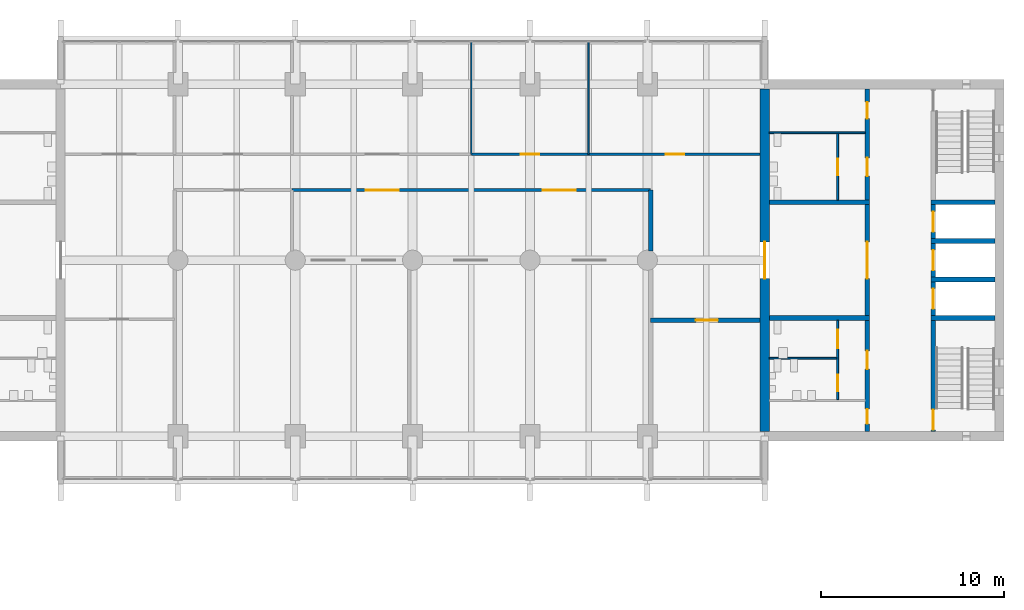
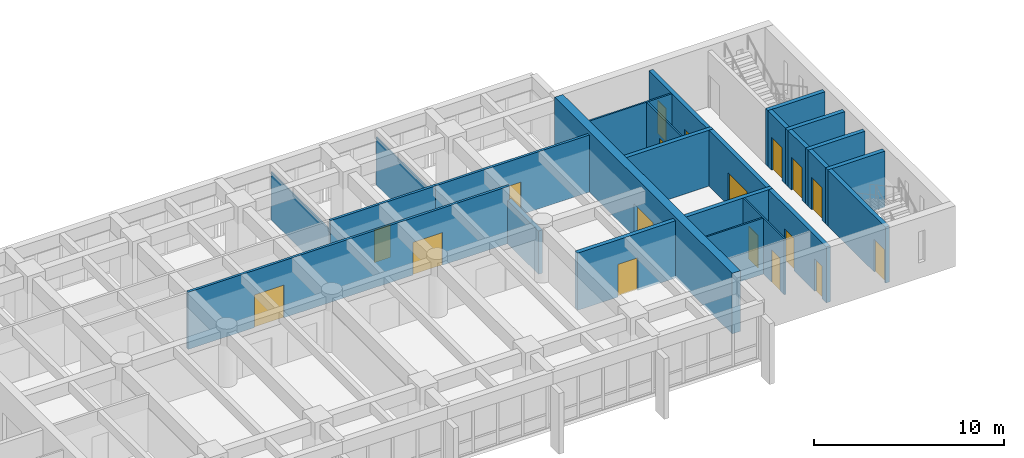
# One storey, part 13 of 19: 25 walls, 18 doors, 18 openings.
"""IFC4 building model written with IfcOpenShell, lengths in metres."""

from ifc_helpers import new_model, si_unit, direction, frame, frame_2d, origin, place, context, subcontext, project, spatial, rectangle, extrude, material, layer, layer_set, type_object, element, fill, save


model = new_model("IFC4")

# Units and contexts
model_context = context("Model", 3, precision=1e-05, world=origin(), true_north=direction((0.0, 1.0)))
body_context = subcontext(model_context, "Body", "Model", "MODEL_VIEW")
ifc_project = project(units=[si_unit("LENGTHUNIT", "METRE"), si_unit("AREAUNIT", "SQUARE_METRE"), si_unit("VOLUMEUNIT", "CUBIC_METRE"), si_unit("PLANEANGLEUNIT", "RADIAN"), si_unit("MASSUNIT", "GRAM", prefix="KILO")], contexts=[model_context])

# Site, building, storey
site_placement = place(None, origin())
site = spatial("IfcSite", under=ifc_project, at=site_placement, CompositionType="ELEMENT")
building_placement = place(site_placement, origin())
building = spatial("IfcBuilding", under=site, at=building_placement, Name="Fogon Plaza Fire Station and Headquarters Tower", CompositionType="ELEMENT")
storey_placement = place(building_placement, frame((0.0, 0.0, 17.10009765625)))
storey = spatial("IfcBuildingStorey", under=building, at=storey_placement, Name="L04", CompositionType="ELEMENT", Elevation=17.10009765625)

# Walls
ifc_material_1 = material(Name="Concrete C40", Category="concrete")
ifc_layer_1 = layer(ifc_material_1, 0.25)
ifc_layer_set_1 = layer_set([ifc_layer_1], Name="Concrete C40")
wall_type_1 = type_object("IfcWallType", Name="Core Wall RC 250", PredefinedType="SOLIDWALL", material=ifc_layer_set_1)
for number, where, z_axis, x_axis, name in (
    (1, (76.550048828125, 40.050048828125, 0.0), (0.0, 0.0, 1.0), (-1.0, 0.0, 0.0), "Core B shaft wall"),
    (2, (76.550048828125, 42.14990234375, 0.0), (0.0, 0.0, 1.0), (-1.0, 0.0, 0.0), "Core B shaft wall"),
    (3, (76.550048828125, 44.25, 0.0), (0.0, 0.0, 1.0), (-1.0, 0.0, 0.0), "Core B shaft wall"),
    (4, (76.550048828125, 46.35009765625, 0.0), (0.0, 0.0, 1.0), (-1.0, 0.0, 0.0), "Core B shaft wall"),
):
    element("IfcWall", number, at=place(storey_placement, frame(where, z_axis=z_axis, x_axis=x_axis)), inside=storey, type_object=wall_type_1, Name=name, PredefinedType="SOLIDWALL", context=body_context, shape_type="SweptSolid", body=[
        extrude(rectangle(XDim=3.47509765625, YDim=0.25, at=frame_2d((1.737548828125, 0.0))), origin(), (0.0, 0.0, 1.0), 3.599853515625),
    ])

# Wall, opening, door
wall_1_placement = place(storey_placement, frame((73.199951171875, 33.85009765625, 0.0), z_axis=(0.0, 0.0, 1.0), x_axis=(0.0, 1.0, 0.0)))
wall_1 = element("IfcWall", 5, at=wall_1_placement, inside=storey, type_object=wall_type_1, Name="Core B shaft wall", PredefinedType="SOLIDWALL", context=body_context, shape_type="SweptSolid", body=[
    extrude(rectangle(XDim=6.074951171875, YDim=0.25, at=frame_2d((3.03759765625, 0.0))), origin(), (0.0, 0.0, 1.0), 3.599853515625),
])
opening_1_placement = place(wall_1_placement, frame((0.10009765625, 0.0, 0.0)))
opening_1 = element("IfcOpeningElement", 6, at=opening_1_placement, cuts=wall_1, Name="Opening L04-D15", PredefinedType="OPENING", context=body_context, shape_type="SweptSolid", body=[
    extrude(rectangle(XDim=1.10009765625, YDim=2.10009765625, at=frame_2d((0.550048828125, 1.050048828125))), frame((0.0, 0.135009765625, 0.0), z_axis=(0.0, -1.0, 0.0), x_axis=(1.0, 0.0, 0.0)), (0.0, 0.0, 1.0), 0.27001953125),
])
ifc_material_2 = material(Name="Steel Fire Door Leaf", Category="steel")
door_type_1 = type_object("IfcDoorType", Name="Stair Door Single 1100x2100", OperationType="SINGLE_SWING_LEFT", PredefinedType="DOOR", material=ifc_material_2)
door_1_placement = place(opening_1_placement, frame((1.10009765625, 0.0, 0.0), z_axis=(0.0, 0.0, 1.0), x_axis=(-1.0, 0.0, 0.0)))
door_1 = element("IfcDoor", 7, at=door_1_placement, inside=storey, type_object=door_type_1, Name="Stair door ST3", OperationType="SINGLE_SWING_RIGHT", OverallHeight=2.10009765625, OverallWidth=1.10009765625, PredefinedType="DOOR", context=body_context, shape_type="SweptSolid", body=[
    extrude(rectangle(XDim=1.10009765625, YDim=2.10009765625, at=frame_2d((0.550048828125, 1.050048828125))), frame((0.0, 0.02490234375, 0.0), z_axis=(0.0, -1.0, 0.0), x_axis=(1.0, 0.0, 0.0)), (0.0, 0.0, 1.0), 0.050048828125),
])
fill(opening_1, door_1)

wall_2_placement = place(storey_placement, frame((73.199951171875, 40.175048828125, 0.0), z_axis=(0.0, 0.0, 1.0), x_axis=(0.0, 1.0, 0.0)))
wall_2 = element("IfcWall", 8, at=wall_2_placement, inside=storey, type_object=wall_type_1, Name="Core B shaft wall", PredefinedType="SOLIDWALL", context=body_context, shape_type="SweptSolid", body=[
    extrude(rectangle(XDim=1.849853515625, YDim=0.25, at=frame_2d((0.9248046875, 0.0))), origin(), (0.0, 0.0, 1.0), 3.599853515625),
])
opening_2_placement = place(wall_2_placement, frame((0.375, 0.0, 0.0)))
opening_2 = element("IfcOpeningElement", 9, at=opening_2_placement, cuts=wall_2, Name="Opening L04-D17", PredefinedType="OPENING", context=body_context, shape_type="SweptSolid", body=[
    extrude(rectangle(XDim=1.10009765625, YDim=2.10009765625, at=frame_2d((0.550048828125, 1.050048828125))), frame((0.0, 0.135009765625, 0.0), z_axis=(0.0, -1.0, 0.0), x_axis=(1.0, 0.0, 0.0)), (0.0, 0.0, 1.0), 0.27001953125),
])
ifc_material_3 = material(Name="Stainless Steel", Category="steel")
door_type_2 = type_object("IfcDoorType", Name="Lift Landing Door 1100x2100", OperationType="SLIDING_TO_LEFT", PredefinedType="DOOR", material=ifc_material_3)
door_2_placement = place(opening_2_placement, origin())
door_2 = element("IfcDoor", 10, at=door_2_placement, inside=storey, type_object=door_type_2, Name="Lift LP3 landing door", OperationType="SLIDING_TO_LEFT", OverallHeight=2.10009765625, OverallWidth=1.10009765625, PredefinedType="DOOR", context=body_context, shape_type="SweptSolid", body=[
    extrude(rectangle(XDim=1.10009765625, YDim=2.10009765625, at=frame_2d((0.550048828125, 1.050048828125))), frame((0.0, 0.02490234375, 0.0), z_axis=(0.0, -1.0, 0.0), x_axis=(1.0, 0.0, 0.0)), (0.0, 0.0, 1.0), 0.050048828125),
])
fill(opening_2, door_2)

wall_3_placement = place(storey_placement, frame((73.199951171875, 42.27490234375, 0.0), z_axis=(0.0, 0.0, 1.0), x_axis=(0.0, 1.0, 0.0)))
wall_3 = element("IfcWall", 11, at=wall_3_placement, inside=storey, type_object=wall_type_1, Name="Core B shaft wall", PredefinedType="SOLIDWALL", context=body_context, shape_type="SweptSolid", body=[
    extrude(rectangle(XDim=1.85009765625, YDim=0.25, at=frame_2d((0.925048828125, 0.0))), origin(), (0.0, 0.0, 1.0), 3.599853515625),
])
opening_3_placement = place(wall_3_placement, frame((0.375, 0.0, 0.0)))
opening_3 = element("IfcOpeningElement", 12, at=opening_3_placement, cuts=wall_3, Name="Opening L04-D18", PredefinedType="OPENING", context=body_context, shape_type="SweptSolid", body=[
    extrude(rectangle(XDim=1.10009765625, YDim=2.10009765625, at=frame_2d((0.550048828125, 1.050048828125))), frame((0.0, 0.135009765625, 0.0), z_axis=(0.0, -1.0, 0.0), x_axis=(1.0, 0.0, 0.0)), (0.0, 0.0, 1.0), 0.27001953125),
])
door_3_placement = place(opening_3_placement, origin())
door_3 = element("IfcDoor", 13, at=door_3_placement, inside=storey, type_object=door_type_2, Name="Lift LP4 landing door", OperationType="SLIDING_TO_LEFT", OverallHeight=2.10009765625, OverallWidth=1.10009765625, PredefinedType="DOOR", context=body_context, shape_type="SweptSolid", body=[
    extrude(rectangle(XDim=1.10009765625, YDim=2.10009765625, at=frame_2d((0.550048828125, 1.050048828125))), frame((0.0, 0.02490234375, 0.0), z_axis=(0.0, -1.0, 0.0), x_axis=(1.0, 0.0, 0.0)), (0.0, 0.0, 1.0), 0.050048828125),
])
fill(opening_3, door_3)

wall_4_placement = place(storey_placement, frame((73.199951171875, 44.375, 0.0), z_axis=(0.0, 0.0, 1.0), x_axis=(0.0, 1.0, 0.0)))
wall_4 = element("IfcWall", 14, at=wall_4_placement, inside=storey, type_object=wall_type_1, Name="Core B shaft wall", PredefinedType="SOLIDWALL", context=body_context, shape_type="SweptSolid", body=[
    extrude(rectangle(XDim=1.85009765625, YDim=0.25, at=frame_2d((0.925048828125, 0.0))), origin(), (0.0, 0.0, 1.0), 3.599853515625),
])
opening_4_placement = place(wall_4_placement, frame((0.375, 0.0, 0.0)))
opening_4 = element("IfcOpeningElement", 15, at=opening_4_placement, cuts=wall_4, Name="Opening L04-D19", PredefinedType="OPENING", context=body_context, shape_type="SweptSolid", body=[
    extrude(rectangle(XDim=1.10009765625, YDim=2.10009765625, at=frame_2d((0.550048828125, 1.050048828125))), frame((0.0, 0.135009765625, 0.0), z_axis=(0.0, -1.0, 0.0), x_axis=(1.0, 0.0, 0.0)), (0.0, 0.0, 1.0), 0.27001953125),
])
door_4_placement = place(opening_4_placement, origin())
door_4 = element("IfcDoor", 16, at=door_4_placement, inside=storey, type_object=door_type_2, Name="Lift FL2 landing door", OperationType="SLIDING_TO_LEFT", OverallHeight=2.10009765625, OverallWidth=1.10009765625, PredefinedType="DOOR", context=body_context, shape_type="SweptSolid", body=[
    extrude(rectangle(XDim=1.10009765625, YDim=2.10009765625, at=frame_2d((0.550048828125, 1.050048828125))), frame((0.0, 0.02490234375, 0.0), z_axis=(0.0, -1.0, 0.0), x_axis=(1.0, 0.0, 0.0)), (0.0, 0.0, 1.0), 0.050048828125),
])
fill(opening_4, door_4)

# Wall, openings, doors
wall_5_placement = place(storey_placement, frame((69.60009765625, 33.85009765625, 0.0), z_axis=(0.0, 0.0, 1.0), x_axis=(0.0, 1.0, 0.0)))
wall_5 = element("IfcWall", 17, at=wall_5_placement, inside=storey, type_object=wall_type_1, Name="Core B shaft wall", PredefinedType="SOLIDWALL", context=body_context, shape_type="SweptSolid", body=[
    extrude(rectangle(XDim=6.074951171875, YDim=0.25, at=frame_2d((3.03759765625, 0.0))), origin(), (0.0, 0.0, 1.0), 3.599853515625),
])
opening_5_placement = place(wall_5_placement, frame((0.425048828125, 0.0, 0.0)))
opening_5 = element("IfcOpeningElement", 18, at=opening_5_placement, cuts=wall_5, Name="Opening L04-D22", PredefinedType="OPENING", context=body_context, shape_type="SweptSolid", body=[
    extrude(rectangle(XDim=0.800048828125, YDim=2.10009765625, at=frame_2d((0.39990234375, 1.050048828125))), frame((0.0, 0.135009765625, 0.0), z_axis=(0.0, -1.0, 0.0), x_axis=(1.0, 0.0, 0.0)), (0.0, 0.0, 1.0), 0.27001953125),
])
opening_6_placement = place(wall_5_placement, frame((3.41259765625, 0.0, 0.0)))
opening_6 = element("IfcOpeningElement", 19, at=opening_6_placement, cuts=wall_5, Name="Opening L04-D23", PredefinedType="OPENING", context=body_context, shape_type="SweptSolid", body=[
    extrude(rectangle(XDim=1.0, YDim=2.10009765625, at=frame_2d((0.5, 1.050048828125))), frame((0.0, 0.135009765625, 0.0), z_axis=(0.0, -1.0, 0.0), x_axis=(1.0, 0.0, 0.0)), (0.0, 0.0, 1.0), 0.27001953125),
])
ifc_material_4 = material(Name="Timber Door Leaf", Category="wood")
door_type_3 = type_object("IfcDoorType", Name="Cleaner Store Single 800x2100", OperationType="SINGLE_SWING_LEFT", PredefinedType="DOOR", material=ifc_material_4)
door_5_placement = place(opening_5_placement, origin())
door_5 = element("IfcDoor", 20, at=door_5_placement, inside=storey, type_object=door_type_3, Name="Cleaner's store B door", OperationType="SINGLE_SWING_LEFT", OverallHeight=2.10009765625, OverallWidth=0.800048828125, PredefinedType="DOOR", context=body_context, shape_type="SweptSolid", body=[
    extrude(rectangle(XDim=0.800048828125, YDim=2.10009765625, at=frame_2d((0.39990234375, 1.050048828125))), frame((0.0, 0.02490234375, 0.0), z_axis=(0.0, -1.0, 0.0), x_axis=(1.0, 0.0, 0.0)), (0.0, 0.0, 1.0), 0.050048828125),
])
fill(opening_5, door_5)
ifc_material_5 = material(Name="Timber fire door", Category="wood")
door_type_4 = type_object("IfcDoorType", Name="WC Lobby Single 1000x2100", OperationType="SINGLE_SWING_LEFT", PredefinedType="DOOR", material=ifc_material_5)
door_6_placement = place(opening_6_placement, origin())
door_6 = element("IfcDoor", 21, at=door_6_placement, inside=storey, type_object=door_type_4, Name="Men's WC lobby B door", OperationType="SINGLE_SWING_RIGHT", OverallHeight=2.10009765625, OverallWidth=1.0, PredefinedType="DOOR", context=body_context, shape_type="SweptSolid", body=[
    extrude(rectangle(XDim=1.0, YDim=2.10009765625, at=frame_2d((0.5, 1.050048828125))), frame((0.0, 0.02490234375, 0.0), z_axis=(0.0, -1.0, 0.0), x_axis=(1.0, 0.0, 0.0)), (0.0, 0.0, 1.0), 0.050048828125),
])
fill(opening_6, door_6)

# Wall, opening, door
wall_6_placement = place(storey_placement, frame((69.60009765625, 40.175048828125, 0.0), z_axis=(0.0, 0.0, 1.0), x_axis=(0.0, 1.0, 0.0)))
wall_6 = element("IfcWall", 22, at=wall_6_placement, inside=storey, type_object=wall_type_1, Name="Core B shaft wall", PredefinedType="SOLIDWALL", context=body_context, shape_type="SweptSolid", body=[
    extrude(rectangle(XDim=6.050048828125, YDim=0.25, at=frame_2d((3.02490234375, 0.0))), origin(), (0.0, 0.0, 1.0), 3.599853515625),
])
opening_7_placement = place(wall_6_placement, frame((2.02490234375, 0.0, 0.0)))
opening_7 = element("IfcOpeningElement", 23, at=opening_7_placement, cuts=wall_6, Name="Opening L04-D20", PredefinedType="OPENING", context=body_context, shape_type="SweptSolid", body=[
    extrude(rectangle(XDim=2.0, YDim=2.10009765625, at=frame_2d((1.0, 1.050048828125))), frame((0.0, 0.135009765625, 0.0), z_axis=(0.0, -1.0, 0.0), x_axis=(1.0, 0.0, 0.0)), (0.0, 0.0, 1.0), 0.27001953125),
])
ifc_material_6 = material(Name="Steel Fire Door Leaf", Category="steel")
door_type_5 = type_object("IfcDoorType", Name="Vestibule Double 2000x2100", OperationType="DOUBLE_DOOR_SINGLE_SWING", PredefinedType="DOOR", material=ifc_material_6)
door_7_placement = place(opening_7_placement, origin())
door_7 = element("IfcDoor", 24, at=door_7_placement, inside=storey, type_object=door_type_5, Name="Vestibule B door", OperationType="DOUBLE_DOOR_SINGLE_SWING", OverallHeight=2.10009765625, OverallWidth=2.0, PredefinedType="DOOR", context=body_context, shape_type="SweptSolid", body=[
    extrude(rectangle(XDim=2.0, YDim=2.10009765625, at=frame_2d((1.0, 1.050048828125))), frame((0.0, 0.02490234375, 0.0), z_axis=(0.0, -1.0, 0.0), x_axis=(1.0, 0.0, 0.0)), (0.0, 0.0, 1.0), 0.050048828125),
])
fill(opening_7, door_7)

# Wall, openings, doors
wall_7_placement = place(storey_placement, frame((69.60009765625, 46.47509765625, 0.0), z_axis=(0.0, 0.0, 1.0), x_axis=(0.0, 1.0, 0.0)))
wall_7 = element("IfcWall", 25, at=wall_7_placement, inside=storey, type_object=wall_type_1, Name="Core B shaft wall", PredefinedType="SOLIDWALL", context=body_context, shape_type="SweptSolid", body=[
    extrude(rectangle(XDim=6.074951171875, YDim=0.25, at=frame_2d((3.03759765625, 0.0))), origin(), (0.0, 0.0, 1.0), 3.599853515625),
])
opening_8_placement = place(wall_7_placement, frame((1.3125, 0.0, 0.0)))
opening_8 = element("IfcOpeningElement", 26, at=opening_8_placement, cuts=wall_7, Name="Opening L04-D26", PredefinedType="OPENING", context=body_context, shape_type="SweptSolid", body=[
    extrude(rectangle(XDim=1.0, YDim=2.10009765625, at=frame_2d((0.5, 1.050048828125))), frame((0.0, 0.135009765625, 0.0), z_axis=(0.0, -1.0, 0.0), x_axis=(1.0, 0.0, 0.0)), (0.0, 0.0, 1.0), 0.27001953125),
])
opening_9_placement = place(wall_7_placement, frame((4.449951171875, 0.0, 0.0)))
opening_9 = element("IfcOpeningElement", 27, at=opening_9_placement, cuts=wall_7, Name="Opening L04-D28", PredefinedType="OPENING", context=body_context, shape_type="SweptSolid", body=[
    extrude(rectangle(XDim=0.89990234375, YDim=2.10009765625, at=frame_2d((0.449951171875, 1.050048828125))), frame((0.0, 0.135009765625, 0.0), z_axis=(0.0, -1.0, 0.0), x_axis=(1.0, 0.0, 0.0)), (0.0, 0.0, 1.0), 0.27001953125),
])
ifc_material_7 = material(Name="Steel Fire Door Leaf", Category="steel")
door_type_6 = type_object("IfcDoorType", Name="Riser Single 900x2100", OperationType="SINGLE_SWING_LEFT", PredefinedType="DOOR", material=ifc_material_7)
door_8_placement = place(opening_9_placement, origin())
door_8 = element("IfcDoor", 28, at=door_8_placement, inside=storey, type_object=door_type_6, Name="Riser room B door", OperationType="SINGLE_SWING_LEFT", OverallHeight=2.10009765625, OverallWidth=0.89990234375, PredefinedType="DOOR", context=body_context, shape_type="SweptSolid", body=[
    extrude(rectangle(XDim=0.89990234375, YDim=2.10009765625, at=frame_2d((0.449951171875, 1.050048828125))), frame((0.0, 0.02490234375, 0.0), z_axis=(0.0, -1.0, 0.0), x_axis=(1.0, 0.0, 0.0)), (0.0, 0.0, 1.0), 0.050048828125),
])
fill(opening_9, door_8)
door_9_placement = place(opening_8_placement, origin())
door_9 = element("IfcDoor", 29, at=door_9_placement, inside=storey, type_object=door_type_4, Name="Women's WC lobby B door", OperationType="SINGLE_SWING_LEFT", OverallHeight=2.10009765625, OverallWidth=1.0, PredefinedType="DOOR", context=body_context, shape_type="SweptSolid", body=[
    extrude(rectangle(XDim=1.0, YDim=2.10009765625, at=frame_2d((0.5, 1.050048828125))), frame((0.0, 0.02490234375, 0.0), z_axis=(0.0, -1.0, 0.0), x_axis=(1.0, 0.0, 0.0)), (0.0, 0.0, 1.0), 0.050048828125),
])
fill(opening_8, door_9)

# Walls
for number, where, z_axis, x_axis, name in (
    (30, (69.72509765625, 40.050048828125, 0.0), (0.0, 0.0, 1.0), (-1.0, 0.0, 0.0), "Core B shaft wall"),
    (31, (69.72509765625, 46.35009765625, 0.0), (0.0, 0.0, 1.0), (-1.0, 0.0, 0.0), "Core B shaft wall"),
):
    element("IfcWall", number, at=place(storey_placement, frame(where, z_axis=z_axis, x_axis=x_axis)), inside=storey, type_object=wall_type_1, Name=name, PredefinedType="SOLIDWALL", context=body_context, shape_type="SweptSolid", body=[
        extrude(rectangle(XDim=5.47509765625, YDim=0.25, at=frame_2d((2.737548828125, 0.0))), origin(), (0.0, 0.0, 1.0), 3.599853515625),
    ])

# Wall, openings, doors
ifc_material_8 = material(Name="Blockwork", Category="masonry")
ifc_layer_2 = layer(ifc_material_8, 0.10009765625)
ifc_layer_set_2 = layer_set([ifc_layer_2], Name="Blockwork")
wall_type_2 = type_object("IfcWallType", Name="Partition Blockwork 100", PredefinedType="PARTITIONING", material=ifc_layer_set_2)
wall_8_placement = place(storey_placement, frame((67.97509765625, 35.60009765625, 0.0), z_axis=(0.0, 0.0, 1.0), x_axis=(0.0, 1.0, 0.0)))
wall_8 = element("IfcWall", 32, at=wall_8_placement, inside=storey, type_object=wall_type_2, Name="WC block partition", PredefinedType="PARTITIONING", context=body_context, shape_type="SweptSolid", body=[
    extrude(rectangle(XDim=4.324951171875, YDim=0.10009765625, at=frame_2d((2.16259765625, 0.0))), origin(), (0.0, 0.0, 1.0), 3.599853515625),
])
opening_10_placement = place(wall_8_placement, frame((0.449951171875, 0.0, 0.0)))
opening_10 = element("IfcOpeningElement", 33, at=opening_10_placement, cuts=wall_8, Name="Opening L04-D24", PredefinedType="OPENING", context=body_context, shape_type="SweptSolid", body=[
    extrude(rectangle(XDim=0.89990234375, YDim=2.10009765625, at=frame_2d((0.449951171875, 1.050048828125))), frame((0.0, 0.06005859375, 0.0), z_axis=(0.0, -1.0, 0.0), x_axis=(1.0, 0.0, 0.0)), (0.0, 0.0, 1.0), 0.1201171875),
])
opening_11_placement = place(wall_8_placement, frame((2.8125, 0.0, 0.0)))
opening_11 = element("IfcOpeningElement", 34, at=opening_11_placement, cuts=wall_8, Name="Opening L04-D25", PredefinedType="OPENING", context=body_context, shape_type="SweptSolid", body=[
    extrude(rectangle(XDim=1.0, YDim=2.10009765625, at=frame_2d((0.5, 1.050048828125))), frame((0.0, 0.06005859375, 0.0), z_axis=(0.0, -1.0, 0.0), x_axis=(1.0, 0.0, 0.0)), (0.0, 0.0, 1.0), 0.1201171875),
])
ifc_material_9 = material(Name="Timber Door Leaf", Category="wood")
door_type_7 = type_object("IfcDoorType", Name="Accessible WC Single 1000x2100", OperationType="SINGLE_SWING_LEFT", PredefinedType="DOOR", material=ifc_material_9)
door_10_placement = place(opening_11_placement, origin())
door_10 = element("IfcDoor", 35, at=door_10_placement, inside=storey, type_object=door_type_7, Name="Accessible WC B door", OperationType="SINGLE_SWING_RIGHT", OverallHeight=2.10009765625, OverallWidth=1.0, PredefinedType="DOOR", context=body_context, shape_type="SweptSolid", body=[
    extrude(rectangle(XDim=1.0, YDim=2.10009765625, at=frame_2d((0.5, 1.050048828125))), frame((0.0, 0.02490234375, 0.0), z_axis=(0.0, -1.0, 0.0), x_axis=(1.0, 0.0, 0.0)), (0.0, 0.0, 1.0), 0.050048828125),
])
fill(opening_11, door_10)
ifc_material_10 = material(Name="Timber Door Leaf", Category="wood")
door_type_8 = type_object("IfcDoorType", Name="WC Single 900x2100", OperationType="SINGLE_SWING_LEFT", PredefinedType="DOOR", material=ifc_material_10)
door_11_placement = place(opening_10_placement, origin())
door_11 = element("IfcDoor", 36, at=door_11_placement, inside=storey, type_object=door_type_8, Name="Men's WC B door", OperationType="SINGLE_SWING_LEFT", OverallHeight=2.10009765625, OverallWidth=0.89990234375, PredefinedType="DOOR", context=body_context, shape_type="SweptSolid", body=[
    extrude(rectangle(XDim=0.89990234375, YDim=2.10009765625, at=frame_2d((0.449951171875, 1.050048828125))), frame((0.0, 0.02490234375, 0.0), z_axis=(0.0, -1.0, 0.0), x_axis=(1.0, 0.0, 0.0)), (0.0, 0.0, 1.0), 0.050048828125),
])
fill(opening_10, door_11)

# Wall
wall_9_placement = place(storey_placement, frame((67.925048828125, 37.85009765625, 0.0), z_axis=(0.0, 0.0, 1.0), x_axis=(-1.0, 0.0, 0.0)))
element("IfcWall", 37, at=wall_9_placement, inside=storey, type_object=wall_type_2, Name="WC block partition", PredefinedType="PARTITIONING", context=body_context, shape_type="SweptSolid", body=[
    extrude(rectangle(XDim=3.675048828125, YDim=0.10009765625, at=frame_2d((1.83740234375, 0.0))), origin(), (0.0, 0.0, 1.0), 3.599853515625),
])

# Wall, opening, door
wall_10_placement = place(storey_placement, frame((67.97509765625, 46.47509765625, 0.0), z_axis=(0.0, 0.0, 1.0), x_axis=(0.0, 1.0, 0.0)))
wall_10 = element("IfcWall", 38, at=wall_10_placement, inside=storey, type_object=wall_type_2, Name="WC block partition", PredefinedType="PARTITIONING", context=body_context, shape_type="SweptSolid", body=[
    extrude(rectangle(XDim=3.625, YDim=0.10009765625, at=frame_2d((1.8125, 0.0))), origin(), (0.0, 0.0, 1.0), 3.599853515625),
])
opening_12_placement = place(wall_10_placement, frame((1.362548828125, 0.0, 0.0)))
opening_12 = element("IfcOpeningElement", 39, at=opening_12_placement, cuts=wall_10, Name="Opening L04-D27", PredefinedType="OPENING", context=body_context, shape_type="SweptSolid", body=[
    extrude(rectangle(XDim=0.89990234375, YDim=2.10009765625, at=frame_2d((0.449951171875, 1.050048828125))), frame((0.0, 0.06005859375, 0.0), z_axis=(0.0, -1.0, 0.0), x_axis=(1.0, 0.0, 0.0)), (0.0, 0.0, 1.0), 0.1201171875),
])
door_12_placement = place(opening_12_placement, origin())
door_12 = element("IfcDoor", 40, at=door_12_placement, inside=storey, type_object=door_type_8, Name="Women's WC B door", OperationType="SINGLE_SWING_RIGHT", OverallHeight=2.10009765625, OverallWidth=0.89990234375, PredefinedType="DOOR", context=body_context, shape_type="SweptSolid", body=[
    extrude(rectangle(XDim=0.89990234375, YDim=2.10009765625, at=frame_2d((0.449951171875, 1.050048828125))), frame((0.0, 0.02490234375, 0.0), z_axis=(0.0, -1.0, 0.0), x_axis=(1.0, 0.0, 0.0)), (0.0, 0.0, 1.0), 0.050048828125),
])
fill(opening_12, door_12)

# Wall
ifc_material_11 = material(Name="Blockwork", Category="masonry")
ifc_layer_3 = layer(ifc_material_11, 0.10009765625)
ifc_layer_set_3 = layer_set([ifc_layer_3], Name="Blockwork")
wall_type_3 = type_object("IfcWallType", Name="Riser Partition Blockwork 100", PredefinedType="PARTITIONING", material=ifc_layer_set_3)
wall_11_placement = place(storey_placement, frame((69.47509765625, 50.14990234375, 0.0), z_axis=(0.0, 0.0, 1.0), x_axis=(-1.0, 0.0, 0.0)))
element("IfcWall", 41, at=wall_11_placement, inside=storey, type_object=wall_type_3, Name="Riser room partition", PredefinedType="PARTITIONING", context=body_context, shape_type="SweptSolid", body=[
    extrude(rectangle(XDim=5.22509765625, YDim=0.10009765625, at=frame_2d((2.612548828125, 0.0))), origin(), (0.0, 0.0, 1.0), 3.599853515625),
])

# Wall, opening, door
ifc_material_12 = material(Name="Concrete C40", Category="concrete")
ifc_layer_4 = layer(ifc_material_12, 0.5)
ifc_layer_set_4 = layer_set([ifc_layer_4], Name="Concrete C40")
wall_type_4 = type_object("IfcWallType", Name="Shear wall 500 SW50", PredefinedType="SHEAR", material=ifc_layer_set_4)
wall_12_placement = place(storey_placement, frame((64.0, 33.85009765625, 0.0), z_axis=(0.0, 0.0, 1.0), x_axis=(0.0, 1.0, 0.0)))
wall_12 = element("IfcWall", 42, at=wall_12_placement, inside=storey, type_object=wall_type_4, Name="wall-coreB-W-L04", PredefinedType="SHEAR", context=body_context, shape_type="SweptSolid", body=[
    extrude(rectangle(XDim=18.699951171875, YDim=0.5, at=frame_2d((9.35009765625, 0.0))), origin(), (0.0, 0.0, 1.0), 3.89990234375),
])
opening_13_placement = place(wall_12_placement, frame((8.35009765625, 0.0, 0.0)))
opening_13 = element("IfcOpeningElement", 43, at=opening_13_placement, cuts=wall_12, Name="Opening L04-D21", PredefinedType="OPENING", context=body_context, shape_type="SweptSolid", body=[
    extrude(rectangle(XDim=2.0, YDim=2.10009765625, at=frame_2d((1.0, 1.050048828125))), frame((0.0, 0.260009765625, 0.0), z_axis=(0.0, -1.0, 0.0), x_axis=(1.0, 0.0, 0.0)), (0.0, 0.0, 1.0), 0.52001953125),
])
door_13_placement = place(opening_13_placement, frame((2.0, 0.0, 0.0), z_axis=(0.0, 0.0, 1.0), x_axis=(-1.0, 0.0, 0.0)))
door_13 = element("IfcDoor", 44, at=door_13_placement, inside=storey, type_object=door_type_5, Name="Vestibule B door to the office zone", OperationType="DOUBLE_DOOR_SINGLE_SWING", OverallHeight=2.10009765625, OverallWidth=2.0, PredefinedType="DOOR", context=body_context, shape_type="SweptSolid", body=[
    extrude(rectangle(XDim=2.0, YDim=2.10009765625, at=frame_2d((1.0, 1.050048828125))), frame((0.0, 0.02490234375, 0.0), z_axis=(0.0, -1.0, 0.0), x_axis=(1.0, 0.0, 0.0)), (0.0, 0.0, 1.0), 0.050048828125),
])
fill(opening_13, door_13)

# Wall, openings, doors
ifc_material_13 = material(Name="Gypsum board on steel stud", Category="steel")
ifc_layer_5 = layer(ifc_material_13, 0.14990234375)
ifc_layer_set_5 = layer_set([ifc_layer_5], Name="Gypsum board on steel stud")
wall_type_5 = type_object("IfcWallType", Name="Tower corridor partition 150 EI 60", PredefinedType="PARTITIONING", material=ifc_layer_set_5)
wall_13_placement = place(storey_placement, frame((38.219970703125, 47.02490234375, 0.0), z_axis=(0.0, 0.0, 1.0), x_axis=(1.0, 0.0, 0.0)))
wall_13 = element("IfcWall", 45, at=wall_13_placement, inside=storey, type_object=wall_type_5, Name="part-L04-04", PredefinedType="PARTITIONING", context=body_context, shape_type="SweptSolid", body=[
    extrude(rectangle(XDim=19.56005859375, YDim=0.14990234375, at=frame_2d((9.780029296875, 0.0))), origin(), (0.0, 0.0, 1.0), 3.679931640625),
])
opening_14_placement = place(wall_13_placement, frame((4.030029296875, 0.0, 0.0)))
opening_14 = element("IfcOpeningElement", 46, at=opening_14_placement, cuts=wall_13, Name="Opening L04-D30", PredefinedType="OPENING", context=body_context, shape_type="SweptSolid", body=[
    extrude(rectangle(XDim=1.800048828125, YDim=2.10009765625, at=frame_2d((0.89990234375, 1.050048828125))), frame((0.0, 0.0849609375, 0.0), z_axis=(0.0, -1.0, 0.0), x_axis=(1.0, 0.0, 0.0)), (0.0, 0.0, 1.0), 0.169921875),
])
opening_15_placement = place(wall_13_placement, frame((13.679931640625, 0.0, 0.0)))
opening_15 = element("IfcOpeningElement", 47, at=opening_15_placement, cuts=wall_13, Name="Opening L04-D31", PredefinedType="OPENING", context=body_context, shape_type="SweptSolid", body=[
    extrude(rectangle(XDim=1.800048828125, YDim=2.10009765625, at=frame_2d((0.89990234375, 1.050048828125))), frame((0.0, 0.0849609375, 0.0), z_axis=(0.0, -1.0, 0.0), x_axis=(1.0, 0.0, 0.0)), (0.0, 0.0, 1.0), 0.169921875),
])
ifc_material_14 = material(Name="Timber fire door", Category="wood")
door_type_9 = type_object("IfcDoorType", Name="Tower fire door double 1800 EI 20", OperationType="DOUBLE_DOOR_SINGLE_SWING", PredefinedType="DOOR", material=ifc_material_14)
door_14_placement = place(opening_14_placement, origin())
door_14 = element("IfcDoor", 48, at=door_14_placement, inside=storey, type_object=door_type_9, Name="door-L04-02", OperationType="DOUBLE_DOOR_SINGLE_SWING", OverallHeight=2.10009765625, OverallWidth=1.800048828125, PredefinedType="DOOR", context=body_context, shape_type="SweptSolid", body=[
    extrude(rectangle(XDim=1.800048828125, YDim=2.10009765625, at=frame_2d((0.89990234375, 1.050048828125))), frame((0.0, 0.02490234375, 0.0), z_axis=(0.0, -1.0, 0.0), x_axis=(1.0, 0.0, 0.0)), (0.0, 0.0, 1.0), 0.050048828125),
])
fill(opening_14, door_14)
door_15_placement = place(opening_15_placement, origin())
door_15 = element("IfcDoor", 49, at=door_15_placement, inside=storey, type_object=door_type_9, Name="door-L04-03", OperationType="DOUBLE_DOOR_SINGLE_SWING", OverallHeight=2.10009765625, OverallWidth=1.800048828125, PredefinedType="DOOR", context=body_context, shape_type="SweptSolid", body=[
    extrude(rectangle(XDim=1.800048828125, YDim=2.10009765625, at=frame_2d((0.89990234375, 1.050048828125))), frame((0.0, 0.02490234375, 0.0), z_axis=(0.0, -1.0, 0.0), x_axis=(1.0, 0.0, 0.0)), (0.0, 0.0, 1.0), 0.050048828125),
])
fill(opening_15, door_15)

# Wall, opening, door
wall_14_placement = place(storey_placement, frame((48.0, 48.97509765625, 0.0), z_axis=(0.0, 0.0, 1.0), x_axis=(1.0, 0.0, 0.0)))
wall_14 = element("IfcWall", 50, at=wall_14_placement, inside=storey, type_object=wall_type_5, Name="part-L04-09", PredefinedType="PARTITIONING", context=body_context, shape_type="SweptSolid", body=[
    extrude(rectangle(XDim=6.39990234375, YDim=0.14990234375, at=frame_2d((3.199951171875, 0.0))), origin(), (0.0, 0.0, 1.0), 3.679931640625),
])
opening_16_placement = place(wall_14_placement, frame((2.699951171875, 0.0, 0.0)))
opening_16 = element("IfcOpeningElement", 51, at=opening_16_placement, cuts=wall_14, Name="Opening L04-D35", PredefinedType="OPENING", context=body_context, shape_type="SweptSolid", body=[
    extrude(rectangle(XDim=1.0, YDim=2.10009765625, at=frame_2d((0.5, 1.050048828125))), frame((0.0, 0.0849609375, 0.0), z_axis=(0.0, -1.0, 0.0), x_axis=(1.0, 0.0, 0.0)), (0.0, 0.0, 1.0), 0.169921875),
])
ifc_material_15 = material(Name="Fire rated glazed door")
door_type_10 = type_object("IfcDoorType", Name="Tower glazed fire door single 1000 EI 20", OperationType="SINGLE_SWING_LEFT", PredefinedType="DOOR", material=ifc_material_15)
door_16_placement = place(opening_16_placement, origin())
door_16 = element("IfcDoor", 52, at=door_16_placement, inside=storey, type_object=door_type_10, Name="door-L04-07", OperationType="SINGLE_SWING_LEFT", OverallHeight=2.10009765625, OverallWidth=1.0, PredefinedType="DOOR", context=body_context, shape_type="SweptSolid", body=[
    extrude(rectangle(XDim=1.0, YDim=2.10009765625, at=frame_2d((0.5, 1.050048828125))), frame((0.0, 0.02490234375, 0.0), z_axis=(0.0, -1.0, 0.0), x_axis=(1.0, 0.0, 0.0)), (0.0, 0.0, 1.0), 0.050048828125),
])
fill(opening_16, door_16)

wall_15_placement = place(storey_placement, frame((54.39990234375, 48.97509765625, 0.0), z_axis=(0.0, 0.0, 1.0), x_axis=(1.0, 0.0, 0.0)))
wall_15 = element("IfcWall", 53, at=wall_15_placement, inside=storey, type_object=wall_type_5, Name="part-L04-10", PredefinedType="PARTITIONING", context=body_context, shape_type="SweptSolid", body=[
    extrude(rectangle(XDim=9.35009765625, YDim=0.14990234375, at=frame_2d((4.675048828125, 0.0))), origin(), (0.0, 0.0, 1.0), 3.679931640625),
])
opening_17_placement = place(wall_15_placement, frame((4.199951171875, 0.0, 0.0)))
opening_17 = element("IfcOpeningElement", 54, at=opening_17_placement, cuts=wall_15, Name="Opening L04-D36", PredefinedType="OPENING", context=body_context, shape_type="SweptSolid", body=[
    extrude(rectangle(XDim=1.0, YDim=2.10009765625, at=frame_2d((0.5, 1.050048828125))), frame((0.0, 0.0849609375, 0.0), z_axis=(0.0, -1.0, 0.0), x_axis=(1.0, 0.0, 0.0)), (0.0, 0.0, 1.0), 0.169921875),
])
ifc_material_16 = material(Name="Timber fire door", Category="wood")
door_type_11 = type_object("IfcDoorType", Name="Tower fire door single 1000 EI 20", OperationType="SINGLE_SWING_LEFT", PredefinedType="DOOR", material=ifc_material_16)
door_17_placement = place(opening_17_placement, origin())
door_17 = element("IfcDoor", 55, at=door_17_placement, inside=storey, type_object=door_type_11, Name="door-L04-08", OperationType="SINGLE_SWING_RIGHT", OverallHeight=2.10009765625, OverallWidth=1.0, PredefinedType="DOOR", context=body_context, shape_type="SweptSolid", body=[
    extrude(rectangle(XDim=1.0, YDim=2.10009765625, at=frame_2d((0.5, 1.050048828125))), frame((0.0, 0.02490234375, 0.0), z_axis=(0.0, -1.0, 0.0), x_axis=(1.0, 0.0, 0.0)), (0.0, 0.0, 1.0), 0.050048828125),
])
fill(opening_17, door_17)

# Walls
ifc_material_17 = material(Name="Glazed aluminium partition", Category="aluminium")
ifc_layer_6 = layer(ifc_material_17, 0.074951171875)
ifc_layer_set_6 = layer_set([ifc_layer_6], Name="Glazed aluminium partition")
wall_type_6 = type_object("IfcWallType", Name="Tower glazed partition 75 Beam Head 600", PredefinedType="PARTITIONING", material=ifc_layer_set_6)
for number, where, z_axis, x_axis, name in (
    (56, (48.0, 48.97509765625, 0.0), (0.0, 0.0, 1.0), (0.0, 1.0, 0.0), "part-L04-15"),
    (57, (54.39990234375, 48.97509765625, 0.0), (0.0, 0.0, 1.0), (0.0, 1.0, 0.0), "part-L04-16"),
):
    element("IfcWall", number, at=place(storey_placement, frame(where, z_axis=z_axis, x_axis=x_axis)), inside=storey, type_object=wall_type_6, Name=name, PredefinedType="PARTITIONING", context=body_context, shape_type="SweptSolid", body=[
        extrude(rectangle(XDim=6.125, YDim=0.074951171875, at=frame_2d((3.0625, 0.0))), origin(), (0.0, 0.0, 1.0), 3.079833984375),
    ])

# Wall, opening, door
ifc_material_18 = material(Name="Concrete block masonry", Category="masonry")
ifc_layer_7 = layer(ifc_material_18, 0.25)
ifc_layer_set_7 = layer_set([ifc_layer_7], Name="Concrete block masonry")
wall_type_7 = type_object("IfcWallType", Name="Tower plant wall 250 EI 120", PredefinedType="PARTITIONING", material=ifc_layer_set_7)
wall_16_placement = place(storey_placement, frame((57.780029296875, 39.925048828125, 0.0), z_axis=(0.0, 0.0, 1.0), x_axis=(1.0, 0.0, 0.0)))
wall_16 = element("IfcWall", 58, at=wall_16_placement, inside=storey, type_object=wall_type_7, Name="part-L04-22", PredefinedType="PARTITIONING", context=body_context, shape_type="SweptSolid", body=[
    extrude(rectangle(XDim=5.969970703125, YDim=0.25, at=frame_2d((2.98486328125, 0.0))), origin(), (0.0, 0.0, 1.0), 3.679931640625),
])
opening_18_placement = place(wall_16_placement, frame((2.469970703125, 0.0, 0.0)))
opening_18 = element("IfcOpeningElement", 59, at=opening_18_placement, cuts=wall_16, Name="Opening L04-D38", PredefinedType="OPENING", context=body_context, shape_type="SweptSolid", body=[
    extrude(rectangle(XDim=1.199951171875, YDim=2.10009765625, at=frame_2d((0.60009765625, 1.050048828125))), frame((0.0, 0.135009765625, 0.0), z_axis=(0.0, -1.0, 0.0), x_axis=(1.0, 0.0, 0.0)), (0.0, 0.0, 1.0), 0.27001953125),
])
ifc_material_19 = material(Name="Steel fire door", Category="steel")
door_type_12 = type_object("IfcDoorType", Name="Tower plant door double 1200 EI 90", OperationType="DOUBLE_DOOR_SINGLE_SWING", PredefinedType="DOOR", material=ifc_material_19)
door_18_placement = place(opening_18_placement, frame((1.199951171875, 0.0, 0.0), z_axis=(0.0, 0.0, 1.0), x_axis=(-1.0, 0.0, 0.0)))
door_18 = element("IfcDoor", 60, at=door_18_placement, inside=storey, type_object=door_type_12, Name="door-L04-10", OperationType="DOUBLE_DOOR_SINGLE_SWING", OverallHeight=2.10009765625, OverallWidth=1.199951171875, PredefinedType="DOOR", context=body_context, shape_type="SweptSolid", body=[
    extrude(rectangle(XDim=1.199951171875, YDim=2.10009765625, at=frame_2d((0.60009765625, 1.050048828125))), frame((0.0, 0.02490234375, 0.0), z_axis=(0.0, -1.0, 0.0), x_axis=(1.0, 0.0, 0.0)), (0.0, 0.0, 1.0), 0.050048828125),
])
fill(opening_18, door_18)

# Wall
ifc_material_20 = material(Name="Concrete block masonry", Category="masonry")
ifc_layer_8 = layer(ifc_material_20, 0.25)
ifc_layer_set_8 = layer_set([ifc_layer_8], Name="Concrete block masonry")
wall_type_8 = type_object("IfcWallType", Name="Tower plant wall 250 EI 120 Beam Head 900", PredefinedType="PARTITIONING", material=ifc_layer_set_8)
wall_17_placement = place(storey_placement, frame((57.780029296875, 43.69970703125, 0.0), z_axis=(0.0, 0.0, 1.0), x_axis=(0.0, 1.0, 0.0)))
element("IfcWall", 61, at=wall_17_placement, inside=storey, type_object=wall_type_8, Name="part-L04-25", PredefinedType="PARTITIONING", context=body_context, shape_type="SweptSolid", body=[
    extrude(rectangle(XDim=3.3251953125, YDim=0.25, at=frame_2d((1.66259765625, 0.0))), origin(), (0.0, 0.0, 1.0), 2.77978515625),
])

save(model, "model.ifc")
